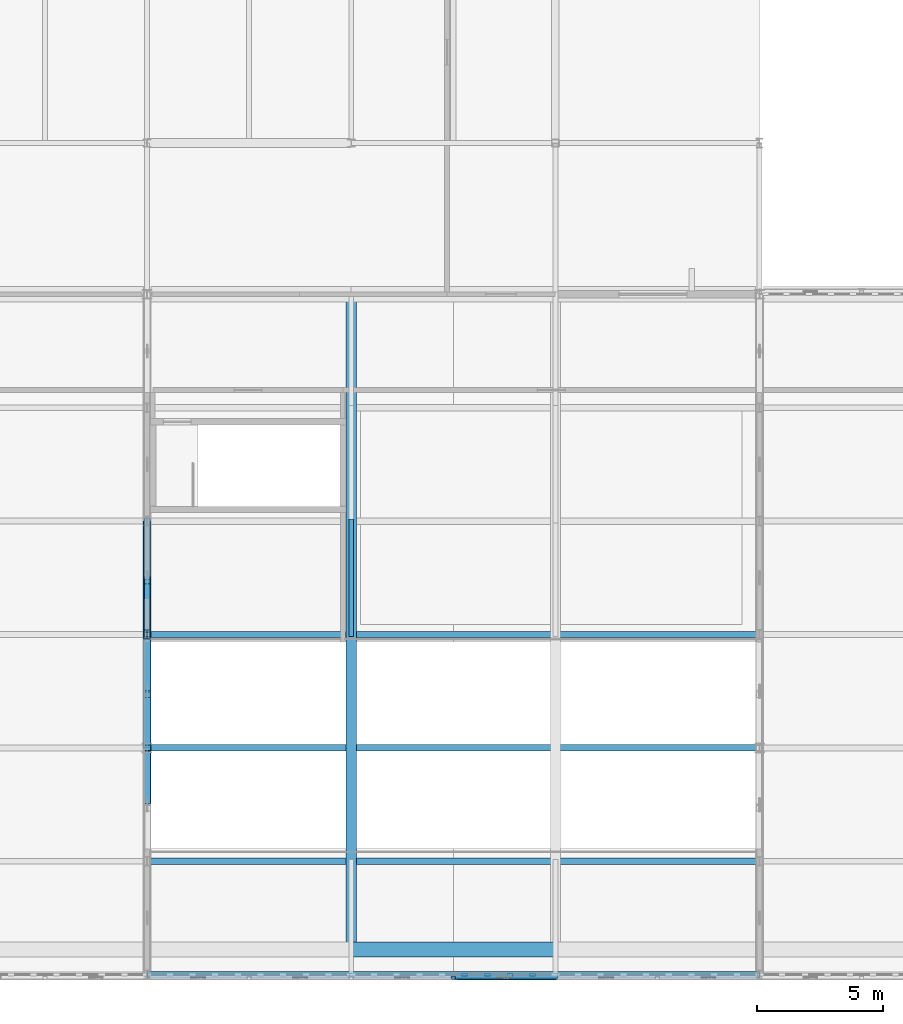
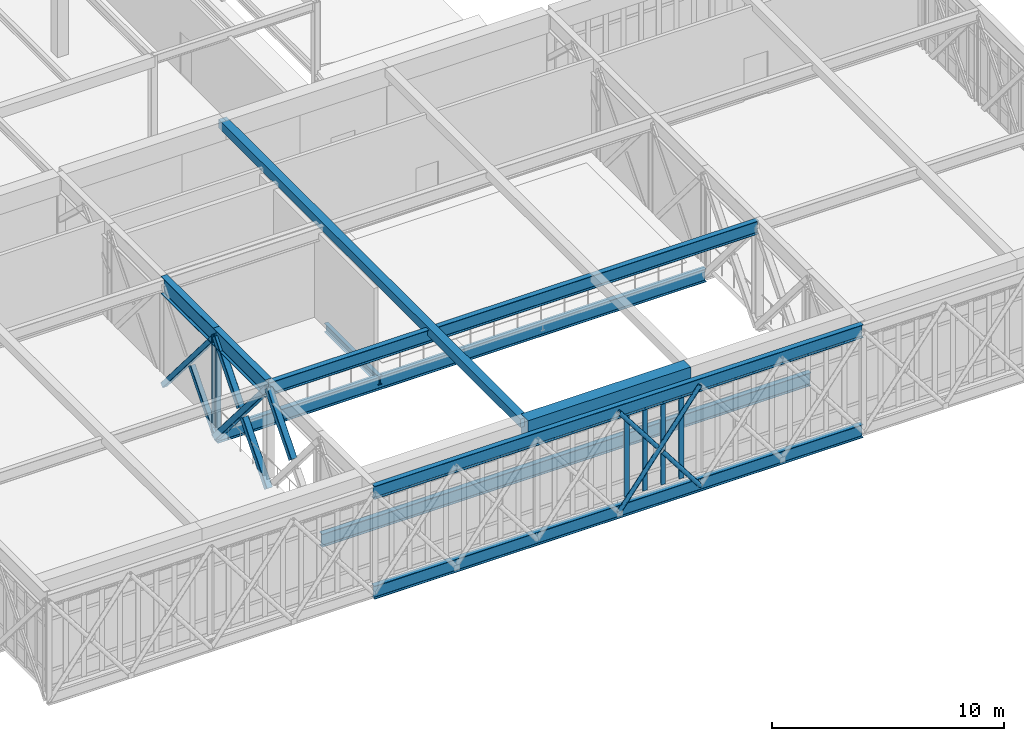
# One storey, part 13 of 70: 14 members, 10 beams, 1 element without a shape of its own.
"""IFC4 building model written with IfcOpenShell, lengths in metres."""

import ifcopenshell
import ifcopenshell.guid

model = None  # the IFC model being written
_history = None  # IfcOwnerHistory: only IFC2X3 demands one
_inside = {}  # id of a spatial element -> (the spatial element, [elements in it])
_under = {}  # id of a project, library or spatial element -> (it, [spatial elements below it])
_declared = {}  # id of a project -> (the project, [libraries it declares])
_typed = {}  # id of a type object -> (the type object, [elements of that type])
_made_of = {}  # id of a material, layer set ... -> (it, [elements and type objects made of it])


def new_model(schema):
    """Start an empty IFC model of exactly this schema.

    Asked for "IFC4X3", IfcOpenShell would pick the latest addendum, in which some entities
    have other attributes; the version numbers below select the first issue.
    IFC2X3 requires an IfcOwnerHistory on every rooted entity: one is made here for all.
    """
    global model, _history
    if schema == "IFC4X3":
        model = ifcopenshell.file(schema_version=(4, 3, 0, 0))
    else:
        model = ifcopenshell.file(schema=schema)
    _inside.clear()
    _under.clear()
    _declared.clear()
    _typed.clear()
    _made_of.clear()
    _history = None
    if model.schema == "IFC2X3":
        org = make("IfcOrganization", Name="unknown")
        user = make(
            "IfcPersonAndOrganization",
            ThePerson=make("IfcPerson", FamilyName="unknown"),
            TheOrganization=org,
        )
        app = make(
            "IfcApplication",
            ApplicationDeveloper=org,
            Version="unknown",
            ApplicationFullName="unknown",
            ApplicationIdentifier="unknown",
        )
        _history = make(
            "IfcOwnerHistory",
            OwningUser=user,
            OwningApplication=app,
            ChangeAction="ADDED",
            CreationDate=0,
        )
    return model


def make(cls, **values):
    """One entity of the class cls with the attributes given. An attribute that is None is left unset."""
    return model.create_entity(
        cls, **{name: value for name, value in values.items() if value is not None}
    )


def rooted(cls, **values):
    """An entity with a GlobalId (a new one), such as an element, a storey or a relation."""
    return make(cls, GlobalId=ifcopenshell.guid.new(), OwnerHistory=_history, **values)


def si_unit(unit_type, name, prefix=None):
    """IfcSIUnit, for example si_unit("LENGTHUNIT", "METRE", prefix="MILLI")."""
    return make("IfcSIUnit", UnitType=unit_type, Prefix=prefix, Name=name)


def assignment(units):
    """IfcUnitAssignment: the units of a project."""
    return None if units is None else make("IfcUnitAssignment", Units=units)


def point(xyz):
    """IfcCartesianPoint."""
    return None if xyz is None else make("IfcCartesianPoint", Coordinates=xyz)


def direction(xyz):
    """IfcDirection."""
    return None if xyz is None else make("IfcDirection", DirectionRatios=xyz)


def frame(location, z_axis=None, x_axis=None):
    """IfcAxis2Placement3D, a coordinate frame: its origin and axes. An axis left out is left unset."""
    return make(
        "IfcAxis2Placement3D",
        Location=point(location),
        Axis=direction(z_axis),
        RefDirection=direction(x_axis),
    )


def frame_2d(location, x_axis=None):
    """IfcAxis2Placement2D, a coordinate frame in the plane: its origin and x axis."""
    return make(
        "IfcAxis2Placement2D", Location=point(location), RefDirection=direction(x_axis)
    )


def origin():
    """The frame at (0, 0, 0) with its axes left unset."""
    return frame((0.0, 0.0, 0.0))


def origin_2d():
    """The frame at (0, 0) in the plane with its x axis left unset."""
    return frame_2d((0.0, 0.0))


def place(relative_to, where):
    """IfcLocalPlacement: puts the frame where relative to a parent placement (None: the world)."""
    return make(
        "IfcLocalPlacement", PlacementRelTo=relative_to, RelativePlacement=where
    )


def context(
    kind, dimensions, precision=None, world=None, true_north=None, identifier=None
):
    """IfcGeometricRepresentationContext, for example the 3D "Model" context."""
    return make(
        "IfcGeometricRepresentationContext",
        ContextIdentifier=identifier,
        ContextType=kind,
        CoordinateSpaceDimension=dimensions,
        Precision=precision,
        WorldCoordinateSystem=world,
        TrueNorth=true_north,
    )


def subcontext(parent, identifier, kind, view, scale=None):
    """IfcGeometricRepresentationSubContext, for example "Body" below "Model"."""
    return make(
        "IfcGeometricRepresentationSubContext",
        ContextIdentifier=identifier,
        ContextType=kind,
        ParentContext=parent,
        TargetScale=scale,
        TargetView=view,
    )


def project(units=None, contexts=None):
    """IfcProject with its units and contexts."""
    return rooted(
        "IfcProject",
        Name="project",
        RepresentationContexts=contexts,
        UnitsInContext=assignment(units),
    )


def spatial(cls, under=None, at=None, **own):
    """A site, building, storey or space (cls), placed at a placement, below another one or the project."""
    s = rooted(cls, ObjectPlacement=at, **own)
    if under is not None:
        _under.setdefault(under.id(), (under, []))[1].append(s)
    return s


def profile(cls, at=None, kind="AREA", **sizes):
    """A parametric profile (cls). Its sizes go by their IFC names, for example OverallWidth=200.0."""
    return make(cls, ProfileType=kind, Position=at, **sizes)


def rectangle(**sizes):
    """IfcRectangleProfileDef."""
    return profile("IfcRectangleProfileDef", **sizes)


def hollow_rectangle(**sizes):
    """IfcRectangleHollowProfileDef."""
    return profile("IfcRectangleHollowProfileDef", **sizes)


def hollow_circle(**sizes):
    """IfcCircleHollowProfileDef."""
    return profile("IfcCircleHollowProfileDef", **sizes)


def i_section(**sizes):
    """IfcIShapeProfileDef."""
    return profile("IfcIShapeProfileDef", **sizes)


def extrude(swept, where, along, depth):
    """IfcExtrudedAreaSolid: the profile swept, set in the frame where, extruded along a direction by depth."""
    return make(
        "IfcExtrudedAreaSolid",
        SweptArea=swept,
        Position=where,
        ExtrudedDirection=direction(along),
        Depth=depth,
    )


def shape(context_of_items, identifier, shape_type, items):
    """IfcShapeRepresentation: the items that make up one representation, for example the "Body"."""
    return make(
        "IfcShapeRepresentation",
        ContextOfItems=context_of_items,
        RepresentationIdentifier=identifier,
        RepresentationType=shape_type,
        Items=items,
    )


def material(Name=None, Category=None):
    """IfcMaterial."""
    return make("IfcMaterial", Name=Name, Category=Category)


def material_profile(
    of_material, cross_section, Name=None, Category=None, Priority=None
):
    """IfcMaterialProfile: a cross section and its material."""
    return make(
        "IfcMaterialProfile",
        Name=Name,
        Material=of_material,
        Profile=cross_section,
        Priority=Priority,
        Category=Category,
    )


def profile_set(profiles, Name=None, composite=None):
    """IfcMaterialProfileSet."""
    return make(
        "IfcMaterialProfileSet",
        Name=Name,
        MaterialProfiles=profiles,
        CompositeProfile=composite,
    )


def made_of(thing, what):
    """Note that an element or type object is made of a material, layer set ...; save() writes the relation."""
    if what is not None:
        _made_of.setdefault(what.id(), (what, []))[1].append(thing)
    return thing


def type_object(cls, material=None, **own):
    """A type object (cls), such as IfcWallType, which elements share."""
    return made_of(rooted(cls, **own), material)


def element(
    cls,
    number,
    at=None,
    inside=None,
    cuts=None,
    type_object=None,
    material=None,
    context=None,
    identifier="Body",
    shape_type=None,
    held_by="IfcProductDefinitionShape",
    body=None,
    shapes=None,
    **own,
):
    """One element of the class cls, such as IfcWall. Its Tag is "e" and its number.

    at: its placement. inside: the storey or other place that contains it. cuts: it is an
    opening in that element (IfcRelVoidsElement). A single representation is given by context,
    identifier, shape_type and body (its items); several are given by shapes. held_by: the class
    of the entity that holds the representations. save() writes the other relations.
    """
    e = rooted(cls, Tag="e%d" % number, ObjectPlacement=at, **own)
    if body is not None:
        shapes = [shape(context, identifier, shape_type, body)]
    if shapes is not None:
        e.Representation = make(held_by, Representations=shapes)
    if inside is not None:
        _inside.setdefault(inside.id(), (inside, []))[1].append(e)
    if cuts is not None:
        rooted(
            "IfcRelVoidsElement", RelatingBuildingElement=cuts, RelatedOpeningElement=e
        )
    if type_object is not None:
        _typed.setdefault(type_object.id(), (type_object, []))[1].append(e)
    return made_of(e, material)


def aggregate(whole, parts):
    """IfcRelAggregates: a whole, such as a stair, and the parts it consists of."""
    return rooted("IfcRelAggregates", RelatingObject=whole, RelatedObjects=parts)


def save(model, path):
    """Write the relations noted so far, then the file.

    IfcRelAggregates (storeys below a building ...), IfcRelContainedInSpatialStructure (elements
    in a storey), IfcRelDefinesByType, IfcRelAssociatesMaterial and IfcRelDeclares: one each for
    every whole, place, type object, material and project.
    """
    for whole, parts in _under.values():
        aggregate(whole, parts)
    for where, things in _inside.values():
        rooted(
            "IfcRelContainedInSpatialStructure",
            RelatedElements=things,
            RelatingStructure=where,
        )
    for kind, things in _typed.values():
        rooted("IfcRelDefinesByType", RelatedObjects=things, RelatingType=kind)
    for what, things in _made_of.values():
        rooted("IfcRelAssociatesMaterial", RelatedObjects=things, RelatingMaterial=what)
    for by, libraries in _declared.values():
        rooted("IfcRelDeclares", RelatingContext=by, RelatedDefinitions=libraries)
    model.write(path)


model = new_model("IFC4")

# Units and contexts
model_context = context("Model", 3, precision=1e-05, world=origin(), true_north=direction((0.0, 1.0)))
body_context = subcontext(model_context, "Body", "Model", "MODEL_VIEW")
ifc_project = project(units=[si_unit("LENGTHUNIT", "METRE"), si_unit("AREAUNIT", "SQUARE_METRE"), si_unit("VOLUMEUNIT", "CUBIC_METRE"), si_unit("PLANEANGLEUNIT", "RADIAN"), si_unit("MASSUNIT", "GRAM", prefix="KILO")], contexts=[model_context])

# Site, building, storey
site_placement = place(None, origin())
site = spatial("IfcSite", under=ifc_project, at=site_placement, CompositionType="ELEMENT")
building_placement = place(site_placement, origin())
building = spatial("IfcBuilding", under=site, at=building_placement, Name="Tarnveldt Square Police Headquarters", CompositionType="ELEMENT")
storey_placement = place(building_placement, frame((0.0, 0.0, 19.800048828125)))
storey = spatial("IfcBuildingStorey", under=building, at=storey_placement, Name="L04", CompositionType="ELEMENT", Elevation=19.800048828125)

# Beams
ifc_material_1 = material(Name="Steel 350W", Category="steel")
ifc_material_profile_1 = material_profile(ifc_material_1, i_section(OverallWidth=0.305908203125, OverallDepth=0.9189453125, WebThickness=0.017333984375, FlangeThickness=0.02783203125, FilletRadius=0.02392578125, at=origin_2d()), Name="W920x253")
ifc_profile_set_1 = profile_set([ifc_material_profile_1], Name="Steel 350W")
beam_type_1 = type_object("IfcBeamType", Name="BM-CT-TOP", PredefinedType="BEAM", material=ifc_profile_set_1)
for number, where, z_axis, x_axis, name in (
    (1, (24.300048828125, 25.0, 4.640380859375), (0.0, -1.0, 0.0), (1.0, 0.0, 0.0), "Cantilever Truss CT-2 Top Chord 3"),
    (2, (24.300048828125, 20.5, 4.640380859375), (0.0, -1.0, 0.0), (1.0, 0.0, 0.0), "Cantilever Truss CT-2 Top Chord 4"),
):
    element("IfcBeam", number, at=place(storey_placement, frame(where, z_axis=z_axis, x_axis=x_axis)), inside=storey, type_object=beam_type_1, Name=name, PredefinedType="BEAM", context=body_context, shape_type="SweptSolid", body=[
        extrude(i_section(OverallWidth=0.305908203125, OverallDepth=0.9189453125, WebThickness=0.017333984375, FlangeThickness=0.02783203125, FilletRadius=0.02392578125, at=origin_2d()), origin(), (0.0, 0.0, 1.0), 4.5),
    ])
ifc_material_2 = material(Name="Concrete 50 MPa", Category="concrete")
ifc_material_profile_2 = material_profile(ifc_material_2, rectangle(XDim=0.60009765625, YDim=1.0, at=origin_2d()), Name="RC-B600x1000")
ifc_profile_set_2 = profile_set([ifc_material_profile_2], Name="Concrete 50 MPa")
beam_type_2 = type_object("IfcBeamType", Name="BM-RC600x1000", PredefinedType="BEAM", material=ifc_profile_set_2)
beam_1_placement = place(storey_placement, frame((32.39990234375, 8.0, 4.599853515625), z_axis=(1.0, 0.0, 0.0), x_axis=(0.0, 1.0, 0.0)))
element("IfcBeam", 3, at=beam_1_placement, inside=storey, type_object=beam_type_2, Name="Command and Control Room Springing Edge Ring Beam S4", PredefinedType="BEAM", context=body_context, shape_type="SweptSolid", body=[
    extrude(rectangle(XDim=0.60009765625, YDim=1.0, at=origin_2d()), origin(), (0.0, 0.0, 1.0), 8.10009765625),
])
ifc_material_3 = material(Name="Concrete 40 MPa", Category="concrete")
ifc_material_profile_3 = material_profile(ifc_material_3, rectangle(XDim=0.39990234375, YDim=0.449951171875, at=origin_2d()), Name="RC-TIE400x450")
ifc_profile_set_3 = profile_set([ifc_material_profile_3], Name="Concrete 40 MPa")
beam_type_3 = type_object("IfcBeamType", Name="BM-TIE400x450", PredefinedType="USERDEFINED", material=ifc_profile_set_3)
beam_2_placement = place(storey_placement, frame((32.39990234375, 8.0, 4.849853515625), z_axis=(0.0, 1.0, 0.0), x_axis=(-1.0, 0.0, 0.0)))
element("IfcBeam", 4, at=beam_2_placement, inside=storey, type_object=beam_type_3, Name="Command and Control Room Vault Springing Tie Beam 4", ObjectType="TIE BEAM", PredefinedType="USERDEFINED", context=body_context, shape_type="SweptSolid", body=[
    extrude(rectangle(XDim=0.39990234375, YDim=0.449951171875, at=origin_2d()), origin(), (0.0, 0.0, 1.0), 26.0),
])
ifc_material_profile_4 = material_profile(ifc_material_1, i_section(OverallWidth=0.19189453125, OverallDepth=0.462890625, WebThickness=0.010498046875, FlangeThickness=0.017578125, FilletRadius=0.01806640625, at=origin_2d()), Name="W460x89")
ifc_profile_set_4 = profile_set([ifc_material_profile_4], Name="Steel 350W")
beam_type_4 = type_object("IfcBeamType", Name="BM-W460x89", PredefinedType="BEAM", material=ifc_profile_set_4)
beam_3_placement = place(storey_placement, frame((32.39990234375, 25.080078125, -0.491455078125), z_axis=(0.0, -1.0, 0.0), x_axis=(1.0, 0.0, 0.0)))
element("IfcBeam", 5, at=beam_3_placement, inside=storey, type_object=beam_type_4, Name="Lantern L04 Secondary Beam 32.2", PredefinedType="BEAM", context=body_context, shape_type="SweptSolid", body=[
    extrude(i_section(OverallWidth=0.19189453125, OverallDepth=0.462890625, WebThickness=0.010498046875, FlangeThickness=0.017578125, FilletRadius=0.01806640625, at=origin_2d()), origin(), (0.0, 0.0, 1.0), 4.66015625),
])
ifc_material_profile_5 = material_profile(ifc_material_1, i_section(OverallWidth=0.25390625, OverallDepth=0.68798828125, WebThickness=0.01318359375, FlangeThickness=0.02099609375, FilletRadius=0.02001953125, at=origin_2d()), Name="W690x152")
ifc_profile_set_5 = profile_set([ifc_material_profile_5], Name="Steel 350W")
beam_type_5 = type_object("IfcBeamType", Name="BM-W690x152", PredefinedType="BEAM", material=ifc_profile_set_5)
for number, where, z_axis, x_axis, name in (
    (6, (24.300048828125, 20.5, -0.60400390625), (1.0, 0.0, 0.0), (0.0, 1.0, 0.0), "Command Lantern L04 Transverse Girder 2.3"),
    (7, (24.300048828125, 16.0, 4.640380859375), (1.0, 0.0, 0.0), (0.0, 1.0, 0.0), "Command Lantern Roof Ring Girder 2.4"),
    (8, (24.300048828125, 11.5, -0.60400390625), (1.0, 0.0, 0.0), (0.0, 1.0, 0.0), "Command Lantern L04 Transverse Girder 2.5"),
    (9, (24.300048828125, 7.0, -0.60400390625), (1.0, 0.0, 0.0), (0.0, 1.0, 0.0), "Command Lantern L04 Transverse Girder 2.6"),
    (10, (24.300048828125, 7.0, 4.640380859375), (1.0, 0.0, 0.0), (0.0, 1.0, 0.0), "Command Lantern Roof Ring Girder 2.6"),
):
    element("IfcBeam", number, at=place(storey_placement, frame(where, z_axis=z_axis, x_axis=x_axis)), inside=storey, type_object=beam_type_5, Name=name, PredefinedType="BEAM", context=body_context, shape_type="SweptSolid", body=[
        extrude(i_section(OverallWidth=0.25390625, OverallDepth=0.68798828125, WebThickness=0.01318359375, FlangeThickness=0.02099609375, FilletRadius=0.02001953125, at=origin_2d()), origin(), (0.0, 0.0, 1.0), 24.300048828125),
    ])

# Curtain wall, members
ifc_material_4 = material(Name="UL 752 Level III laminated ballistic vision glass", Category="glass")
curtain_wall_type = type_object("IfcCurtainWallType", Name="CW-BL-810x429", PredefinedType="USERDEFINED", material=ifc_material_4)
curtain_wall_placement = place(storey_placement, origin())
curtain_wall = element("IfcCurtainWall", 11, at=curtain_wall_placement, inside=storey, type_object=curtain_wall_type, Name="L04 Curtain Wall CW-L04-043", ObjectType="BALLISTIC CURTAIN WALL", PredefinedType="USERDEFINED")
ifc_material_5 = material(Name="Thermally broken anodised aluminium 6063-T6", Category="aluminium")
ifc_material_profile_6 = material_profile(ifc_material_5, rectangle(XDim=0.0849609375, YDim=0.239990234375, at=origin_2d()), Name="CW-M85x240")
ifc_profile_set_6 = profile_set([ifc_material_profile_6], Name="Thermally broken anodised aluminium 6063-T6")
member_type_1 = type_object("IfcMemberType", Name="CWM-85x240", PredefinedType="MULLION", material=ifc_profile_set_6)
member_1_placement = place(storey_placement, frame((36.89990234375, 7.0, 0.0), z_axis=(0.0, 0.0, 1.0), x_axis=(0.0, 1.0, 0.0)))
member_1 = element("IfcMember", 12, at=member_1_placement, type_object=member_type_1, Name="CW-BL18 mullion 6", PredefinedType="MULLION", context=body_context, shape_type="SweptSolid", body=[
    extrude(rectangle(XDim=0.0849609375, YDim=0.239990234375, at=origin_2d()), origin(), (0.0, 0.0, 1.0), 4.288330078125),
])
member_2_placement = place(storey_placement, frame((37.800048828125, 7.0, 0.0), z_axis=(0.0, 0.0, 1.0), x_axis=(0.0, 1.0, 0.0)))
member_2 = element("IfcMember", 13, at=member_2_placement, type_object=member_type_1, Name="CW-BL18 mullion 7", PredefinedType="MULLION", context=body_context, shape_type="SweptSolid", body=[
    extrude(rectangle(XDim=0.0849609375, YDim=0.239990234375, at=origin_2d()), origin(), (0.0, 0.0, 1.0), 4.288330078125),
])
member_3_placement = place(storey_placement, frame((38.699951171875, 7.0, 0.0), z_axis=(0.0, 0.0, 1.0), x_axis=(0.0, 1.0, 0.0)))
member_3 = element("IfcMember", 14, at=member_3_placement, type_object=member_type_1, Name="CW-BL18 mullion 8", PredefinedType="MULLION", context=body_context, shape_type="SweptSolid", body=[
    extrude(rectangle(XDim=0.0849609375, YDim=0.239990234375, at=origin_2d()), origin(), (0.0, 0.0, 1.0), 4.288330078125),
])
member_4_placement = place(storey_placement, frame((39.60009765625, 7.0, 0.0), z_axis=(0.0, 0.0, 1.0), x_axis=(0.0, 1.0, 0.0)))
member_4 = element("IfcMember", 15, at=member_4_placement, type_object=member_type_1, Name="CW-BL18 mullion 9", PredefinedType="MULLION", context=body_context, shape_type="SweptSolid", body=[
    extrude(rectangle(XDim=0.0849609375, YDim=0.239990234375, at=origin_2d()), origin(), (0.0, 0.0, 1.0), 4.288330078125),
])
aggregate(curtain_wall, [member_1, member_2, member_3, member_4])

# Members
ifc_material_profile_7 = material_profile(ifc_material_1, i_section(OverallWidth=0.257080078125, OverallDepth=0.363037109375, WebThickness=0.012939453125, FlangeThickness=0.021728515625, FilletRadius=0.01611328125, at=origin_2d()), Name="W360x122")
ifc_profile_set_7 = profile_set([ifc_material_profile_7], Name="Steel 350W")
member_type_2 = type_object("IfcMemberType", Name="MEM-CT-POST", PredefinedType="STRUT", material=ifc_profile_set_7)
member_5_placement = place(storey_placement, frame((24.300048828125, 20.5, -0.64306640625), z_axis=(0.0, 0.0, 1.0), x_axis=(1.0, 0.0, 0.0)))
element("IfcMember", 16, at=member_5_placement, inside=storey, type_object=member_type_2, Name="Cantilever Truss CT-2 L04 Post 4", PredefinedType="STRUT", context=body_context, shape_type="SweptSolid", body=[
    extrude(i_section(OverallWidth=0.257080078125, OverallDepth=0.363037109375, WebThickness=0.012939453125, FlangeThickness=0.021728515625, FilletRadius=0.01611328125, at=origin_2d()), origin(), (0.0, 0.0, 1.0), 5.283447265625),
])
ifc_material_profile_8 = material_profile(ifc_material_1, hollow_rectangle(XDim=0.3046875, YDim=0.3046875, WallThickness=0.015869140625, InnerFilletRadius=0.015869140625, OuterFilletRadius=0.03173828125, at=origin_2d()), Name="HSS305x305x16")
ifc_profile_set_8 = profile_set([ifc_material_profile_8], Name="Steel 350W")
member_type_3 = type_object("IfcMemberType", Name="MEM-CT-WEB1", PredefinedType="BRACE", material=ifc_profile_set_8)
member_6_placement = place(storey_placement, frame((24.300048828125, 20.5, -0.64306640625), z_axis=(0.0, -0.648406807061, 0.761294038173), x_axis=(1.0, 0.0, 0.0)))
element("IfcMember", 17, at=member_6_placement, inside=storey, type_object=member_type_3, Name="Cantilever Truss CT-2 L04 Web A4", PredefinedType="BRACE", context=body_context, shape_type="SweptSolid", body=[
    extrude(hollow_rectangle(XDim=0.3046875, YDim=0.3046875, WallThickness=0.015869140625, InnerFilletRadius=0.015869140625, OuterFilletRadius=0.03173828125, at=origin_2d()), origin(), (0.0, 0.0, 1.0), 6.940185546875),
])
member_7_placement = place(storey_placement, frame((24.300048828125, 16.0, -0.64306640625), z_axis=(0.0, 0.648400353561, 0.761299534678), x_axis=(-1.0, 0.0, 0.0)))
element("IfcMember", 18, at=member_7_placement, inside=storey, type_object=member_type_3, Name="Cantilever Truss CT-2 L04 Web B4 Lower", PredefinedType="BRACE", context=body_context, shape_type="SweptSolid", body=[
    extrude(hollow_rectangle(XDim=0.3046875, YDim=0.3046875, WallThickness=0.015869140625, InnerFilletRadius=0.015869140625, OuterFilletRadius=0.03173828125, at=origin_2d()), origin(), (0.0, 0.0, 1.0), 3.250244140625),
])
for number, where, z_axis, x_axis, name in (
    (19, (24.300048828125, 18.392578125, 2.166259765625), (0.0, 0.648437434135, 0.761267951521), (-1.0, 0.0, 0.0), "Cantilever Truss CT-2 L04 Web B4 Upper"),
    (20, (24.300048828125, 13.892578125, 2.166259765625), (0.0, 0.648437434135, 0.761267951521), (-1.0, 0.0, 0.0), "Cantilever Truss CT-2 L04 Web B5 Upper"),
):
    element("IfcMember", number, at=place(storey_placement, frame(where, z_axis=z_axis, x_axis=x_axis)), inside=storey, type_object=member_type_3, Name=name, PredefinedType="BRACE", context=body_context, shape_type="SweptSolid", body=[
        extrude(hollow_rectangle(XDim=0.3046875, YDim=0.3046875, WallThickness=0.015869140625, InnerFilletRadius=0.015869140625, OuterFilletRadius=0.03173828125, at=origin_2d()), origin(), (0.0, 0.0, 1.0), 3.25),
    ])
ifc_material_profile_9 = material_profile(ifc_material_1, hollow_rectangle(XDim=0.25390625, YDim=0.25390625, WallThickness=0.0126953125, InnerFilletRadius=0.0126953125, OuterFilletRadius=0.025390625, at=origin_2d()), Name="HSS254x254x13")
ifc_profile_set_9 = profile_set([ifc_material_profile_9], Name="Steel 350W")
member_type_4 = type_object("IfcMemberType", Name="MEM-CT-WEB2", PredefinedType="BRACE", material=ifc_profile_set_9)
member_8_placement = place(storey_placement, frame((24.300048828125, 25.0, -0.64306640625), z_axis=(0.0, -0.648406807061, 0.761294038173), x_axis=(1.0, 0.0, 0.0)))
element("IfcMember", 21, at=member_8_placement, inside=storey, type_object=member_type_4, Name="Cantilever Truss CT-2 L04 Web A3", PredefinedType="BRACE", context=body_context, shape_type="SweptSolid", body=[
    extrude(hollow_rectangle(XDim=0.25390625, YDim=0.25390625, WallThickness=0.0126953125, InnerFilletRadius=0.0126953125, OuterFilletRadius=0.025390625, at=origin_2d()), origin(), (0.0, 0.0, 1.0), 6.940185546875),
])
member_9_placement = place(storey_placement, frame((24.300048828125, 20.5, -0.64306640625), z_axis=(0.0, 0.648400353561, 0.761299534678), x_axis=(-1.0, 0.0, 0.0)))
element("IfcMember", 22, at=member_9_placement, inside=storey, type_object=member_type_4, Name="Cantilever Truss CT-2 L04 Web B3 Lower", PredefinedType="BRACE", context=body_context, shape_type="SweptSolid", body=[
    extrude(hollow_rectangle(XDim=0.25390625, YDim=0.25390625, WallThickness=0.0126953125, InnerFilletRadius=0.0126953125, OuterFilletRadius=0.025390625, at=origin_2d()), origin(), (0.0, 0.0, 1.0), 3.250244140625),
])
ifc_material_profile_10 = material_profile(ifc_material_1, hollow_circle(Radius=0.109619140625, WallThickness=0.010986328125, at=origin_2d()), Name="HSS219x11")
ifc_profile_set_10 = profile_set([ifc_material_profile_10], Name="Steel 350W")
member_type_5 = type_object("IfcMemberType", Name="MEM-LT-DIAG2", PredefinedType="BRACE", material=ifc_profile_set_10)
member_10_placement = place(storey_placement, frame((36.449951171875, 6.89990234375, -0.64306640625), z_axis=(0.608375338642, 0.0, 0.793649448644), x_axis=(0.0, 1.0, 0.0)))
element("IfcMember", 23, at=member_10_placement, inside=storey, type_object=member_type_5, Name="Command Lantern S Steel Lattice Brace 4.2A", PredefinedType="BRACE", context=body_context, shape_type="SweptSolid", body=[
    extrude(hollow_circle(Radius=0.109619140625, WallThickness=0.010986328125, at=origin_2d()), origin(), (0.0, 0.0, 1.0), 6.6572265625),
])
member_11_placement = place(storey_placement, frame((40.5, 6.89990234375, -0.64306640625), z_axis=(-0.608344715413, 0.0, 0.793672922071), x_axis=(0.0, -1.0, 0.0)))
element("IfcMember", 24, at=member_11_placement, inside=storey, type_object=member_type_5, Name="Command Lantern S Steel Lattice Brace 4.2B Lower", PredefinedType="BRACE", context=body_context, shape_type="SweptSolid", body=[
    extrude(hollow_circle(Radius=0.109619140625, WallThickness=0.010986328125, at=origin_2d()), origin(), (0.0, 0.0, 1.0), 3.128662109375),
])
member_12_placement = place(storey_placement, frame((38.353271484375, 6.89990234375, 2.157470703125), z_axis=(-0.608382393445, 0.0, 0.793644040705), x_axis=(0.0, -1.0, 0.0)))
element("IfcMember", 25, at=member_12_placement, inside=storey, type_object=member_type_5, Name="Command Lantern S Steel Lattice Brace 4.2B Upper", PredefinedType="BRACE", context=body_context, shape_type="SweptSolid", body=[
    extrude(hollow_circle(Radius=0.109619140625, WallThickness=0.010986328125, at=origin_2d()), origin(), (0.0, 0.0, 1.0), 3.12841796875),
])

save(model, "model.ifc")
